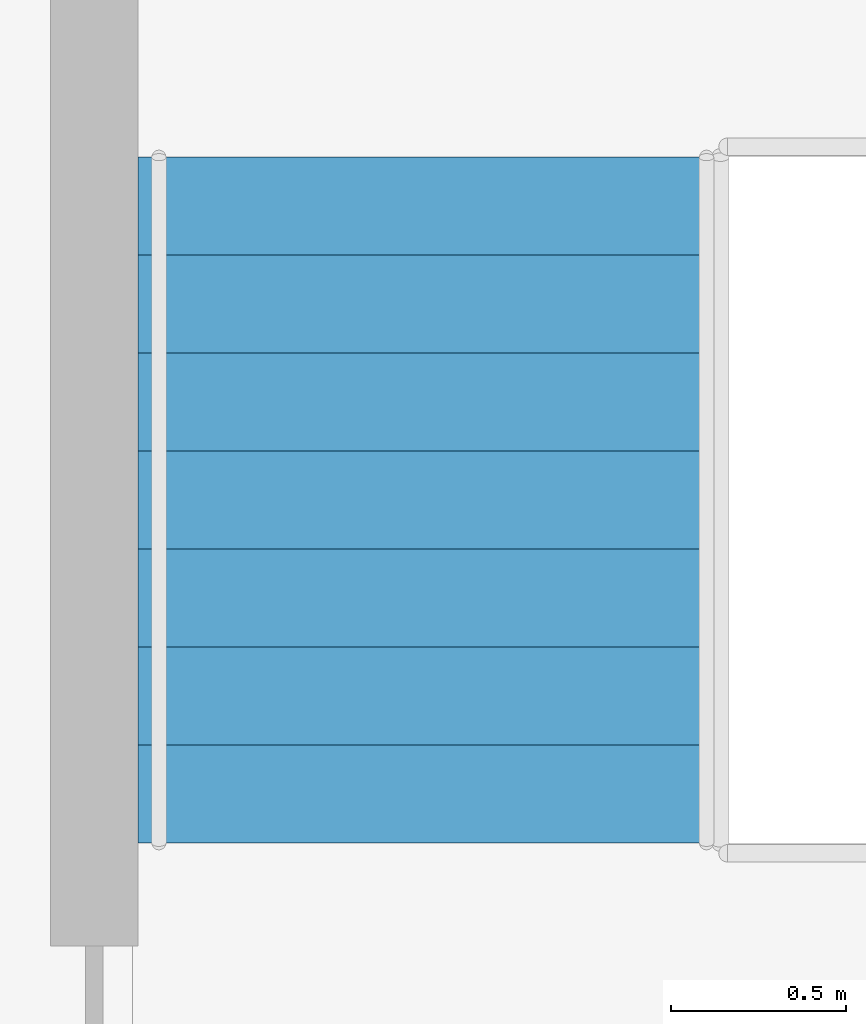
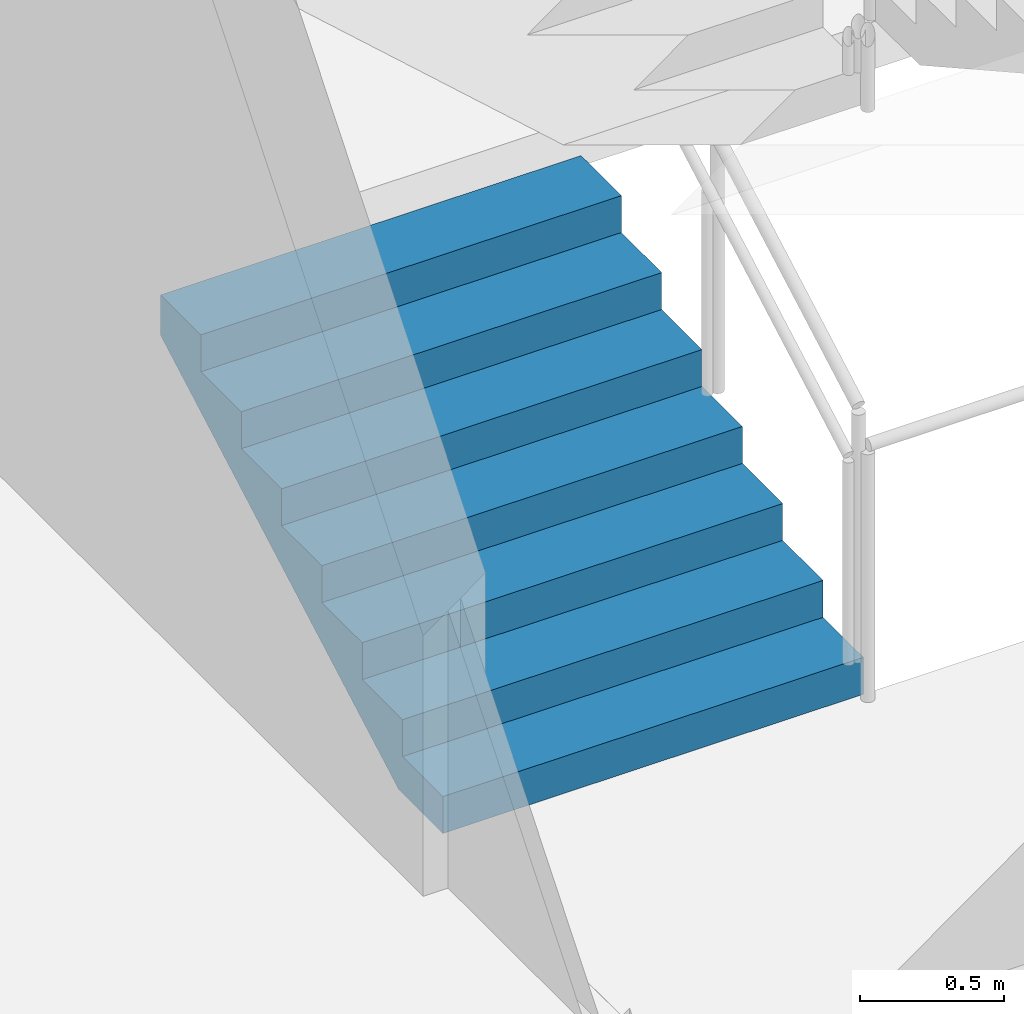
# One storey, part 28 of 37: 1 stair flight, 1 element without a shape of its own.
"""IFC4 building model written with IfcOpenShell, lengths in metres."""

from ifc_helpers import new_model, si_unit, direction, frame, origin, place, context, subcontext, project, spatial, triangles, material, type_object, element, aggregate, save


model = new_model("IFC4")

# Units and contexts
model_context = context("Model", 3, precision=1e-05, world=origin(), true_north=direction((0.0, 1.0)))
body_context = subcontext(model_context, "Body", "Model", "MODEL_VIEW")
ifc_project = project(units=[si_unit("LENGTHUNIT", "METRE"), si_unit("AREAUNIT", "SQUARE_METRE"), si_unit("VOLUMEUNIT", "CUBIC_METRE"), si_unit("PLANEANGLEUNIT", "RADIAN"), si_unit("MASSUNIT", "GRAM", prefix="KILO")], contexts=[model_context])

# Site, building, storey
site_placement = place(None, origin())
site = spatial("IfcSite", under=ifc_project, at=site_placement, CompositionType="ELEMENT")
building_placement = place(site_placement, origin())
building = spatial("IfcBuilding", under=site, at=building_placement, Name="Orbita Commons", CompositionType="ELEMENT")
storey_placement = place(building_placement, frame((0.0, 0.0, 6.0)))
storey = spatial("IfcBuildingStorey", under=building, at=storey_placement, Name="L01", CompositionType="ELEMENT", Elevation=6.0)

# Stair, stair flight
ifc_material_1 = material(Name="Precast concrete C40/50", Category="concrete")
stair_type = type_object("IfcStairType", Name="Podium exit stair 4 flights 8 risers 156", PredefinedType="HALF_TURN_STAIR", material=ifc_material_1)
stair_placement = place(storey_placement, origin())
stair = element("IfcStair", 1, at=stair_placement, inside=storey, type_object=stair_type, Name="Podium exit stair PS1 L01", PredefinedType="HALF_TURN_STAIR")
ifc_material_2 = material(Name="Precast concrete C40/50", Category="concrete")
stair_flight_type = type_object("IfcStairFlightType", Name="Podium stair flight 8 risers 156 x 1685", PredefinedType="STRAIGHT", material=ifc_material_2)
stair_flight_placement = place(storey_placement, frame((7.5673828125, 29.820068359375, 0.0), z_axis=(0.0, 0.0, 1.0), x_axis=(0.0, 1.0, 0.0)))
stair_flight = element("IfcStairFlight", 2, at=stair_flight_placement, type_object=stair_flight_type, Name="PS1 flight 1", NumberOfRisers=8, NumberOfTreads=7, PredefinedType="STRAIGHT", RiserHeight=0.15625, TreadLength=0.28, context=body_context, shape_type="Tessellation", body=[
    triangles([(0.0, 0.842529, 0.0), (0.0, 0.842529, 0.019531), (0.0, 0.702108, 0.019531), (0.0, 0.702108, 0.0), (0.0, 0.561686, 0.019531), (0.0, 0.561686, 0.0), (0.0, 0.421265, 0.019531), (0.0, 0.421265, 0.0), (0.0, 0.280843, 0.019531), (0.0, 0.280843, 0.0), (0.0, 0.140422, 0.019531), (0.0, 0.140422, 0.0), (0.0, 0.0, 0.019531), (0.0, 0.0, 0.0), (0.0, -0.140422, 0.019531), (0.0, -0.140422, 0.0), (0.0, -0.280843, 0.019531), (0.0, -0.280843, 0.0), (0.0, -0.421265, 0.019531), (0.0, -0.421265, 0.0), (0.0, -0.561686, 0.019531), (0.0, -0.561686, 0.0), (0.0, -0.702108, 0.019531), (0.0, -0.702108, 0.0), (0.0, -0.842529, 0.019531), (0.0, -0.842529, 0.0), (0.0, 0.842529, 0.039062), (0.0, 0.702108, 0.039062), (0.0, 0.561686, 0.039062), (0.0, 0.421265, 0.039062), (0.0, 0.280843, 0.039062), (0.0, 0.140422, 0.039062), (0.0, 0.0, 0.039062), (0.0, -0.140422, 0.039062), (0.0, -0.280843, 0.039062), (0.0, -0.421265, 0.039062), (0.0, -0.561686, 0.039062), (0.0, -0.702108, 0.039062), (0.0, -0.842529, 0.039062), (0.0, 0.842529, 0.058594), (0.0, 0.702108, 0.058594), (0.0, 0.561686, 0.058594), (0.0, 0.421265, 0.058594), (0.0, 0.280843, 0.058594), (0.0, 0.140422, 0.058594), (0.0, 0.0, 0.058594), (0.0, -0.140422, 0.058594), (0.0, -0.280843, 0.058594), (0.0, -0.421265, 0.058594), (0.0, -0.561686, 0.058594), (0.0, -0.702108, 0.058594), (0.0, -0.842529, 0.058594), (0.0, 0.842529, 0.078125), (0.0, 0.702108, 0.078125), (0.0, 0.561686, 0.078125), (0.0, 0.421265, 0.078125), (0.0, 0.280843, 0.078125), (0.0, 0.140422, 0.078125), (0.0, 0.0, 0.078125), (0.0, -0.140422, 0.078125), (0.0, -0.280843, 0.078125), (0.0, -0.421265, 0.078125), (0.0, -0.561686, 0.078125), (0.0, -0.702108, 0.078125), (0.0, -0.842529, 0.078125), (0.0, 0.842529, 0.097656), (0.0, 0.702108, 0.097656), (0.0, 0.561686, 0.097656), (0.0, 0.421265, 0.097656), (0.0, 0.280843, 0.097656), (0.0, 0.140422, 0.097656), (0.0, 0.0, 0.097656), (0.0, -0.140422, 0.097656), (0.0, -0.280843, 0.097656), (0.0, -0.421265, 0.097656), (0.0, -0.561686, 0.097656), (0.0, -0.702108, 0.097656), (0.0, -0.842529, 0.097656), (0.0, 0.842529, 0.117188), (0.0, 0.702108, 0.117188), (0.0, 0.561686, 0.117188), (0.0, 0.421265, 0.117188), (0.0, 0.280843, 0.117188), (0.0, 0.140422, 0.117188), (0.0, 0.0, 0.117188), (0.0, -0.140422, 0.117188), (0.0, -0.280843, 0.117188), (0.0, -0.421265, 0.117188), (0.0, -0.561686, 0.117188), (0.0, -0.702108, 0.117188), (0.0, -0.842529, 0.117188), (0.0, 0.842529, 0.136719), (0.0, 0.702108, 0.136719), (0.0, 0.561686, 0.136719), (0.0, 0.421265, 0.136719), (0.0, 0.280843, 0.136719), (0.0, 0.140422, 0.136719), (0.0, 0.0, 0.136719), (0.0, -0.140422, 0.136719), (0.0, -0.280843, 0.136719), (0.0, -0.421265, 0.136719), (0.0, -0.561686, 0.136719), (0.0, -0.702108, 0.136719), (0.0, -0.842529, 0.136719), (0.0, 0.842529, 0.15625), (0.0, 0.702108, 0.15625), (0.0, 0.561686, 0.15625), (0.0, 0.421265, 0.15625), (0.0, 0.280843, 0.15625), (0.0, 0.140422, 0.15625), (0.0, 0.0, 0.15625), (0.0, -0.140422, 0.15625), (0.0, -0.280843, 0.15625), (0.0, -0.421265, 0.15625), (0.0, -0.561686, 0.15625), (0.0, -0.702108, 0.15625), (0.0, -0.842529, 0.15625), (0.28, 0.842529, 0.15625), (0.28, 0.702108, 0.15625), (0.28, 0.561686, 0.15625), (0.28, 0.421265, 0.15625), (0.28, 0.280843, 0.15625), (0.28, 0.140422, 0.15625), (0.28, 0.0, 0.15625), (0.28, -0.140422, 0.15625), (0.28, -0.280843, 0.15625), (0.28, -0.421265, 0.15625), (0.28, -0.561686, 0.15625), (0.28, -0.702108, 0.15625), (0.28, -0.842529, 0.15625), (0.28, 0.842529, 0.3125), (0.28, 0.702108, 0.3125), (0.28, 0.561686, 0.3125), (0.28, 0.421265, 0.3125), (0.28, 0.280843, 0.3125), (0.28, 0.140422, 0.3125), (0.28, 0.0, 0.3125), (0.28, -0.140422, 0.3125), (0.28, -0.280843, 0.3125), (0.28, -0.421265, 0.3125), (0.28, -0.561686, 0.3125), (0.28, -0.702108, 0.3125), (0.28, -0.842529, 0.3125), (0.56, 0.842529, 0.3125), (0.56, 0.702108, 0.3125), (0.56, 0.561686, 0.3125), (0.56, 0.421265, 0.3125), (0.56, 0.280843, 0.3125), (0.56, 0.140422, 0.3125), (0.56, 0.0, 0.3125), (0.56, -0.140422, 0.3125), (0.56, -0.280843, 0.3125), (0.56, -0.421265, 0.3125), (0.56, -0.561686, 0.3125), (0.56, -0.702108, 0.3125), (0.56, -0.842529, 0.3125), (0.56, 0.842529, 0.46875), (0.56, 0.702108, 0.46875), (0.56, 0.561686, 0.46875), (0.56, 0.421265, 0.46875), (0.56, 0.280843, 0.46875), (0.56, 0.140422, 0.46875), (0.56, 0.0, 0.46875), (0.56, -0.140422, 0.46875), (0.56, -0.280843, 0.46875), (0.56, -0.421265, 0.46875), (0.56, -0.561686, 0.46875), (0.56, -0.702108, 0.46875), (0.56, -0.842529, 0.46875), (0.84, 0.842529, 0.46875), (0.84, 0.702108, 0.46875), (0.84, 0.561686, 0.46875), (0.84, 0.421265, 0.46875), (0.84, 0.280843, 0.46875), (0.84, 0.140422, 0.46875), (0.84, 0.0, 0.46875), (0.84, -0.140422, 0.46875), (0.84, -0.280843, 0.46875), (0.84, -0.421265, 0.46875), (0.84, -0.561686, 0.46875), (0.84, -0.702108, 0.46875), (0.84, -0.842529, 0.46875), (0.84, 0.842529, 0.625), (0.84, 0.702108, 0.625), (0.84, 0.561686, 0.625), (0.84, 0.421265, 0.625), (0.84, 0.280843, 0.625), (0.84, 0.140422, 0.625), (0.84, 0.0, 0.625), (0.84, -0.140422, 0.625), (0.84, -0.280843, 0.625), (0.84, -0.421265, 0.625), (0.84, -0.561686, 0.625), (0.84, -0.702108, 0.625), (0.84, -0.842529, 0.625), (1.12, 0.842529, 0.625), (1.12, 0.702108, 0.625), (1.12, 0.561686, 0.625), (1.12, 0.421265, 0.625), (1.12, 0.280843, 0.625), (1.12, 0.140422, 0.625), (1.12, 0.0, 0.625), (1.12, -0.140422, 0.625), (1.12, -0.280843, 0.625), (1.12, -0.421265, 0.625), (1.12, -0.561686, 0.625), (1.12, -0.702108, 0.625), (1.12, -0.842529, 0.625), (1.12, 0.842529, 0.78125), (1.12, 0.702108, 0.78125), (1.12, 0.561686, 0.78125), (1.12, 0.421265, 0.78125), (1.12, 0.280843, 0.78125), (1.12, 0.140422, 0.78125), (1.12, 0.0, 0.78125), (1.12, -0.140422, 0.78125), (1.12, -0.280843, 0.78125), (1.12, -0.421265, 0.78125), (1.12, -0.561686, 0.78125), (1.12, -0.702108, 0.78125), (1.12, -0.842529, 0.78125), (1.4, 0.842529, 0.78125), (1.4, 0.702108, 0.78125), (1.4, 0.561686, 0.78125), (1.4, 0.421265, 0.78125), (1.4, 0.280843, 0.78125), (1.4, 0.140422, 0.78125), (1.4, 0.0, 0.78125), (1.4, -0.140422, 0.78125), (1.4, -0.280843, 0.78125), (1.4, -0.421265, 0.78125), (1.4, -0.561686, 0.78125), (1.4, -0.702108, 0.78125), (1.4, -0.842529, 0.78125), (1.4, 0.842529, 0.9375), (1.4, 0.702108, 0.9375), (1.4, 0.561686, 0.9375), (1.4, 0.421265, 0.9375), (1.4, 0.280843, 0.9375), (1.4, 0.140422, 0.9375), (1.4, 0.0, 0.9375), (1.4, -0.140422, 0.9375), (1.4, -0.280843, 0.9375), (1.4, -0.421265, 0.9375), (1.4, -0.561686, 0.9375), (1.4, -0.702108, 0.9375), (1.4, -0.842529, 0.9375), (1.68, 0.842529, 0.9375), (1.68, 0.702108, 0.9375), (1.68, 0.561686, 0.9375), (1.68, 0.421265, 0.9375), (1.68, 0.280843, 0.9375), (1.68, 0.140422, 0.9375), (1.68, 0.0, 0.9375), (1.68, -0.140422, 0.9375), (1.68, -0.280843, 0.9375), (1.68, -0.421265, 0.9375), (1.68, -0.561686, 0.9375), (1.68, -0.702108, 0.9375), (1.68, -0.842529, 0.9375), (1.68, 0.842529, 1.09375), (1.68, 0.702108, 1.09375), (1.68, 0.561686, 1.09375), (1.68, 0.421265, 1.09375), (1.68, 0.280843, 1.09375), (1.68, 0.140422, 1.09375), (1.68, 0.0, 1.09375), (1.68, -0.140422, 1.09375), (1.68, -0.280843, 1.09375), (1.68, -0.421265, 1.09375), (1.68, -0.561686, 1.09375), (1.68, -0.702108, 1.09375), (1.68, -0.842529, 1.09375), (1.96, 0.842529, 1.09375), (1.96, 0.702108, 1.09375), (1.96, 0.561686, 1.09375), (1.96, 0.421265, 1.09375), (1.96, 0.280843, 1.09375), (1.96, 0.140422, 1.09375), (1.96, 0.0, 1.09375), (1.96, -0.140422, 1.09375), (1.96, -0.280843, 1.09375), (1.96, -0.421265, 1.09375), (1.96, -0.561686, 1.09375), (1.96, -0.702108, 1.09375), (1.96, -0.842529, 1.09375), (1.96, 0.842529, 1.072292), (1.96, 0.702108, 1.072292), (1.96, 0.561686, 1.072292), (1.96, 0.421265, 1.072292), (1.96, 0.280843, 1.072292), (1.96, 0.140422, 1.072292), (1.96, 0.0, 1.072292), (1.96, -0.140422, 1.072292), (1.96, -0.280843, 1.072292), (1.96, -0.421265, 1.072292), (1.96, -0.561686, 1.072292), (1.96, -0.702108, 1.072292), (1.96, -0.842529, 1.072292), (1.96, 0.842529, 1.050834), (1.96, 0.702108, 1.050834), (1.96, 0.561686, 1.050834), (1.96, 0.421265, 1.050834), (1.96, 0.280843, 1.050834), (1.96, 0.140422, 1.050834), (1.96, 0.0, 1.050834), (1.96, -0.140422, 1.050834), (1.96, -0.280843, 1.050834), (1.96, -0.421265, 1.050834), (1.96, -0.561686, 1.050834), (1.96, -0.702108, 1.050834), (1.96, -0.842529, 1.050834), (1.96, 0.842529, 1.029376), (1.96, 0.702108, 1.029376), (1.96, 0.561686, 1.029376), (1.96, 0.421265, 1.029376), (1.96, 0.280843, 1.029376), (1.96, 0.140422, 1.029376), (1.96, 0.0, 1.029376), (1.96, -0.140422, 1.029376), (1.96, -0.280843, 1.029376), (1.96, -0.421265, 1.029376), (1.96, -0.561686, 1.029376), (1.96, -0.702108, 1.029376), (1.96, -0.842529, 1.029376), (1.96, 0.842529, 1.007919), (1.96, 0.702108, 1.007919), (1.96, 0.561686, 1.007919), (1.96, 0.421265, 1.007919), (1.96, 0.280843, 1.007919), (1.96, 0.140422, 1.007919), (1.96, 0.0, 1.007919), (1.96, -0.140422, 1.007919), (1.96, -0.280843, 1.007919), (1.96, -0.421265, 1.007919), (1.96, -0.561686, 1.007919), (1.96, -0.702108, 1.007919), (1.96, -0.842529, 1.007919), (1.96, 0.842529, 0.986461), (1.96, 0.702108, 0.986461), (1.96, 0.561686, 0.986461), (1.96, 0.421265, 0.986461), (1.96, 0.280843, 0.986461), (1.96, 0.140422, 0.986461), (1.96, 0.0, 0.986461), (1.96, -0.140422, 0.986461), (1.96, -0.280843, 0.986461), (1.96, -0.421265, 0.986461), (1.96, -0.561686, 0.986461), (1.96, -0.702108, 0.986461), (1.96, -0.842529, 0.986461), (1.96, 0.842529, 0.965003), (1.96, 0.702108, 0.965003), (1.96, 0.561686, 0.965003), (1.96, 0.421265, 0.965003), (1.96, 0.280843, 0.965003), (1.96, 0.140422, 0.965003), (1.96, 0.0, 0.965003), (1.96, -0.140422, 0.965003), (1.96, -0.280843, 0.965003), (1.96, -0.421265, 0.965003), (1.96, -0.561686, 0.965003), (1.96, -0.702108, 0.965003), (1.96, -0.842529, 0.965003), (1.96, 0.842529, 0.943545), (1.96, 0.702108, 0.943545), (1.96, 0.561686, 0.943545), (1.96, 0.421265, 0.943545), (1.96, 0.280843, 0.943545), (1.96, 0.140422, 0.943545), (1.96, 0.0, 0.943545), (1.96, -0.140422, 0.943545), (1.96, -0.280843, 0.943545), (1.96, -0.421265, 0.943545), (1.96, -0.561686, 0.943545), (1.96, -0.702108, 0.943545), (1.96, -0.842529, 0.943545), (1.96, 0.842529, 0.922087), (1.96, 0.702108, 0.922087), (1.96, 0.561686, 0.922087), (1.96, 0.421265, 0.922087), (1.96, 0.280843, 0.922087), (1.96, 0.140422, 0.922087), (1.96, 0.0, 0.922087), (1.96, -0.140422, 0.922087), (1.96, -0.280843, 0.922087), (1.96, -0.421265, 0.922087), (1.96, -0.561686, 0.922087), (1.96, -0.702108, 0.922087), (1.96, -0.842529, 0.922087), (0.30762, 0.842529, 0.0), (0.30762, 0.702108, 0.0), (0.30762, 0.561686, 0.0), (0.30762, 0.421265, 0.0), (0.30762, 0.280843, 0.0), (0.30762, 0.140422, 0.0), (0.30762, 0.0, 0.0), (0.30762, -0.140422, 0.0), (0.30762, -0.280843, 0.0), (0.30762, -0.421265, 0.0), (0.30762, -0.561686, 0.0), (0.30762, -0.702108, 0.0), (0.30762, -0.842529, 0.0)], [[3, 2, 1], [4, 3, 1], [5, 3, 4], [6, 5, 4], [7, 5, 6], [8, 7, 6], [9, 7, 8], [10, 9, 8], [11, 9, 10], [12, 11, 10], [13, 11, 12], [14, 13, 12], [15, 13, 14], [16, 15, 14], [17, 15, 16], [18, 17, 16], [19, 17, 18], [20, 19, 18], [21, 19, 20], [22, 21, 20], [23, 21, 22], [24, 23, 22], [25, 23, 24], [26, 25, 24], [28, 27, 2], [3, 28, 2], [29, 28, 3], [5, 29, 3], [30, 29, 5], [7, 30, 5], [31, 30, 7], [9, 31, 7], [32, 31, 9], [11, 32, 9], [33, 32, 11], [13, 33, 11], [34, 33, 13], [15, 34, 13], [35, 34, 15], [17, 35, 15], [36, 35, 17], [19, 36, 17], [37, 36, 19], [21, 37, 19], [38, 37, 21], [23, 38, 21], [39, 38, 23], [25, 39, 23], [41, 40, 27], [28, 41, 27], [42, 41, 28], [29, 42, 28], [43, 42, 29], [30, 43, 29], [44, 43, 30], [31, 44, 30], [45, 44, 31], [32, 45, 31], [46, 45, 32], [33, 46, 32], [47, 46, 33], [34, 47, 33], [48, 47, 34], [35, 48, 34], [49, 48, 35], [36, 49, 35], [50, 49, 36], [37, 50, 36], [51, 50, 37], [38, 51, 37], [52, 51, 38], [39, 52, 38], [54, 53, 40], [41, 54, 40], [55, 54, 41], [42, 55, 41], [56, 55, 42], [43, 56, 42], [57, 56, 43], [44, 57, 43], [58, 57, 44], [45, 58, 44], [59, 58, 45], [46, 59, 45], [60, 59, 46], [47, 60, 46], [61, 60, 47], [48, 61, 47], [62, 61, 48], [49, 62, 48], [63, 62, 49], [50, 63, 49], [64, 63, 50], [51, 64, 50], [65, 64, 51], [52, 65, 51], [67, 66, 53], [54, 67, 53], [68, 67, 54], [55, 68, 54], [69, 68, 55], [56, 69, 55], [70, 69, 56], [57, 70, 56], [71, 70, 57], [58, 71, 57], [72, 71, 58], [59, 72, 58], [73, 72, 59], [60, 73, 59], [74, 73, 60], [61, 74, 60], [75, 74, 61], [62, 75, 61], [76, 75, 62], [63, 76, 62], [77, 76, 63], [64, 77, 63], [78, 77, 64], [65, 78, 64], [80, 79, 66], [67, 80, 66], [81, 80, 67], [68, 81, 67], [82, 81, 68], [69, 82, 68], [83, 82, 69], [70, 83, 69], [84, 83, 70], [71, 84, 70], [85, 84, 71], [72, 85, 71], [86, 85, 72], [73, 86, 72], [87, 86, 73], [74, 87, 73], [88, 87, 74], [75, 88, 74], [89, 88, 75], [76, 89, 75], [90, 89, 76], [77, 90, 76], [91, 90, 77], [78, 91, 77], [93, 92, 79], [80, 93, 79], [94, 93, 80], [81, 94, 80], [95, 94, 81], [82, 95, 81], [96, 95, 82], [83, 96, 82], [97, 96, 83], [84, 97, 83], [98, 97, 84], [85, 98, 84], [99, 98, 85], [86, 99, 85], [100, 99, 86], [87, 100, 86], [101, 100, 87], [88, 101, 87], [102, 101, 88], [89, 102, 88], [103, 102, 89], [90, 103, 89], [104, 103, 90], [91, 104, 90], [106, 105, 92], [93, 106, 92], [107, 106, 93], [94, 107, 93], [108, 107, 94], [95, 108, 94], [109, 108, 95], [96, 109, 95], [110, 109, 96], [97, 110, 96], [111, 110, 97], [98, 111, 97], [112, 111, 98], [99, 112, 98], [113, 112, 99], [100, 113, 99], [114, 113, 100], [101, 114, 100], [115, 114, 101], [102, 115, 101], [116, 115, 102], [103, 116, 102], [117, 116, 103], [104, 117, 103], [119, 118, 105], [106, 119, 105], [120, 119, 106], [107, 120, 106], [121, 120, 107], [108, 121, 107], [122, 121, 108], [109, 122, 108], [123, 122, 109], [110, 123, 109], [124, 123, 110], [111, 124, 110], [125, 124, 111], [112, 125, 111], [126, 125, 112], [113, 126, 112], [127, 126, 113], [114, 127, 113], [128, 127, 114], [115, 128, 114], [129, 128, 115], [116, 129, 115], [130, 129, 116], [117, 130, 116], [132, 131, 118], [119, 132, 118], [133, 132, 119], [120, 133, 119], [134, 133, 120], [121, 134, 120], [135, 134, 121], [122, 135, 121], [136, 135, 122], [123, 136, 122], [137, 136, 123], [124, 137, 123], [138, 137, 124], [125, 138, 124], [139, 138, 125], [126, 139, 125], [140, 139, 126], [127, 140, 126], [141, 140, 127], [128, 141, 127], [142, 141, 128], [129, 142, 128], [143, 142, 129], [130, 143, 129], [145, 144, 131], [132, 145, 131], [146, 145, 132], [133, 146, 132], [147, 146, 133], [134, 147, 133], [148, 147, 134], [135, 148, 134], [149, 148, 135], [136, 149, 135], [150, 149, 136], [137, 150, 136], [151, 150, 137], [138, 151, 137], [152, 151, 138], [139, 152, 138], [153, 152, 139], [140, 153, 139], [154, 153, 140], [141, 154, 140], [155, 154, 141], [142, 155, 141], [156, 155, 142], [143, 156, 142], [158, 157, 144], [145, 158, 144], [159, 158, 145], [146, 159, 145], [160, 159, 146], [147, 160, 146], [161, 160, 147], [148, 161, 147], [162, 161, 148], [149, 162, 148], [163, 162, 149], [150, 163, 149], [164, 163, 150], [151, 164, 150], [165, 164, 151], [152, 165, 151], [166, 165, 152], [153, 166, 152], [167, 166, 153], [154, 167, 153], [168, 167, 154], [155, 168, 154], [169, 168, 155], [156, 169, 155], [171, 170, 157], [158, 171, 157], [172, 171, 158], [159, 172, 158], [173, 172, 159], [160, 173, 159], [174, 173, 160], [161, 174, 160], [175, 174, 161], [162, 175, 161], [176, 175, 162], [163, 176, 162], [177, 176, 163], [164, 177, 163], [178, 177, 164], [165, 178, 164], [179, 178, 165], [166, 179, 165], [180, 179, 166], [167, 180, 166], [181, 180, 167], [168, 181, 167], [182, 181, 168], [169, 182, 168], [184, 183, 170], [171, 184, 170], [185, 184, 171], [172, 185, 171], [186, 185, 172], [173, 186, 172], [187, 186, 173], [174, 187, 173], [188, 187, 174], [175, 188, 174], [189, 188, 175], [176, 189, 175], [190, 189, 176], [177, 190, 176], [191, 190, 177], [178, 191, 177], [192, 191, 178], [179, 192, 178], [193, 192, 179], [180, 193, 179], [194, 193, 180], [181, 194, 180], [195, 194, 181], [182, 195, 181], [197, 196, 183], [184, 197, 183], [198, 197, 184], [185, 198, 184], [199, 198, 185], [186, 199, 185], [200, 199, 186], [187, 200, 186], [201, 200, 187], [188, 201, 187], [202, 201, 188], [189, 202, 188], [203, 202, 189], [190, 203, 189], [204, 203, 190], [191, 204, 190], [205, 204, 191], [192, 205, 191], [206, 205, 192], [193, 206, 192], [207, 206, 193], [194, 207, 193], [208, 207, 194], [195, 208, 194], [210, 209, 196], [197, 210, 196], [211, 210, 197], [198, 211, 197], [212, 211, 198], [199, 212, 198], [213, 212, 199], [200, 213, 199], [214, 213, 200], [201, 214, 200], [215, 214, 201], [202, 215, 201], [216, 215, 202], [203, 216, 202], [217, 216, 203], [204, 217, 203], [218, 217, 204], [205, 218, 204], [219, 218, 205], [206, 219, 205], [220, 219, 206], [207, 220, 206], [221, 220, 207], [208, 221, 207], [223, 222, 209], [210, 223, 209], [224, 223, 210], [211, 224, 210], [225, 224, 211], [212, 225, 211], [226, 225, 212], [213, 226, 212], [227, 226, 213], [214, 227, 213], [228, 227, 214], [215, 228, 214], [229, 228, 215], [216, 229, 215], [230, 229, 216], [217, 230, 216], [231, 230, 217], [218, 231, 217], [232, 231, 218], [219, 232, 218], [233, 232, 219], [220, 233, 219], [234, 233, 220], [221, 234, 220], [236, 235, 222], [223, 236, 222], [237, 236, 223], [224, 237, 223], [238, 237, 224], [225, 238, 224], [239, 238, 225], [226, 239, 225], [240, 239, 226], [227, 240, 226], [241, 240, 227], [228, 241, 227], [242, 241, 228], [229, 242, 228], [243, 242, 229], [230, 243, 229], [244, 243, 230], [231, 244, 230], [245, 244, 231], [232, 245, 231], [246, 245, 232], [233, 246, 232], [247, 246, 233], [234, 247, 233], [249, 248, 235], [236, 249, 235], [250, 249, 236], [237, 250, 236], [251, 250, 237], [238, 251, 237], [252, 251, 238], [239, 252, 238], [253, 252, 239], [240, 253, 239], [254, 253, 240], [241, 254, 240], [255, 254, 241], [242, 255, 241], [256, 255, 242], [243, 256, 242], [257, 256, 243], [244, 257, 243], [258, 257, 244], [245, 258, 244], [259, 258, 245], [246, 259, 245], [260, 259, 246], [247, 260, 246], [262, 261, 248], [249, 262, 248], [263, 262, 249], [250, 263, 249], [264, 263, 250], [251, 264, 250], [265, 264, 251], [252, 265, 251], [266, 265, 252], [253, 266, 252], [267, 266, 253], [254, 267, 253], [268, 267, 254], [255, 268, 254], [269, 268, 255], [256, 269, 255], [270, 269, 256], [257, 270, 256], [271, 270, 257], [258, 271, 257], [272, 271, 258], [259, 272, 258], [273, 272, 259], [260, 273, 259], [275, 274, 261], [262, 275, 261], [276, 275, 262], [263, 276, 262], [277, 276, 263], [264, 277, 263], [278, 277, 264], [265, 278, 264], [279, 278, 265], [266, 279, 265], [280, 279, 266], [267, 280, 266], [281, 280, 267], [268, 281, 267], [282, 281, 268], [269, 282, 268], [283, 282, 269], [270, 283, 269], [284, 283, 270], [271, 284, 270], [285, 284, 271], [272, 285, 271], [286, 285, 272], [273, 286, 272], [288, 287, 274], [275, 288, 274], [289, 288, 275], [276, 289, 275], [290, 289, 276], [277, 290, 276], [291, 290, 277], [278, 291, 277], [292, 291, 278], [279, 292, 278], [293, 292, 279], [280, 293, 279], [294, 293, 280], [281, 294, 280], [295, 294, 281], [282, 295, 281], [296, 295, 282], [283, 296, 282], [297, 296, 283], [284, 297, 283], [298, 297, 284], [285, 298, 284], [299, 298, 285], [286, 299, 285], [301, 300, 287], [288, 301, 287], [302, 301, 288], [289, 302, 288], [303, 302, 289], [290, 303, 289], [304, 303, 290], [291, 304, 290], [305, 304, 291], [292, 305, 291], [306, 305, 292], [293, 306, 292], [307, 306, 293], [294, 307, 293], [308, 307, 294], [295, 308, 294], [309, 308, 295], [296, 309, 295], [310, 309, 296], [297, 310, 296], [311, 310, 297], [298, 311, 297], [312, 311, 298], [299, 312, 298], [314, 313, 300], [301, 314, 300], [315, 314, 301], [302, 315, 301], [316, 315, 302], [303, 316, 302], [317, 316, 303], [304, 317, 303], [318, 317, 304], [305, 318, 304], [319, 318, 305], [306, 319, 305], [320, 319, 306], [307, 320, 306], [321, 320, 307], [308, 321, 307], [322, 321, 308], [309, 322, 308], [323, 322, 309], [310, 323, 309], [324, 323, 310], [311, 324, 310], [325, 324, 311], [312, 325, 311], [327, 326, 313], [314, 327, 313], [328, 327, 314], [315, 328, 314], [329, 328, 315], [316, 329, 315], [330, 329, 316], [317, 330, 316], [331, 330, 317], [318, 331, 317], [332, 331, 318], [319, 332, 318], [333, 332, 319], [320, 333, 319], [334, 333, 320], [321, 334, 320], [335, 334, 321], [322, 335, 321], [336, 335, 322], [323, 336, 322], [337, 336, 323], [324, 337, 323], [338, 337, 324], [325, 338, 324], [340, 339, 326], [327, 340, 326], [341, 340, 327], [328, 341, 327], [342, 341, 328], [329, 342, 328], [343, 342, 329], [330, 343, 329], [344, 343, 330], [331, 344, 330], [345, 344, 331], [332, 345, 331], [346, 345, 332], [333, 346, 332], [347, 346, 333], [334, 347, 333], [348, 347, 334], [335, 348, 334], [349, 348, 335], [336, 349, 335], [350, 349, 336], [337, 350, 336], [351, 350, 337], [338, 351, 337], [353, 352, 339], [340, 353, 339], [354, 353, 340], [341, 354, 340], [355, 354, 341], [342, 355, 341], [356, 355, 342], [343, 356, 342], [357, 356, 343], [344, 357, 343], [358, 357, 344], [345, 358, 344], [359, 358, 345], [346, 359, 345], [360, 359, 346], [347, 360, 346], [361, 360, 347], [348, 361, 347], [362, 361, 348], [349, 362, 348], [363, 362, 349], [350, 363, 349], [364, 363, 350], [351, 364, 350], [366, 365, 352], [353, 366, 352], [367, 366, 353], [354, 367, 353], [368, 367, 354], [355, 368, 354], [369, 368, 355], [356, 369, 355], [370, 369, 356], [357, 370, 356], [371, 370, 357], [358, 371, 357], [372, 371, 358], [359, 372, 358], [373, 372, 359], [360, 373, 359], [374, 373, 360], [361, 374, 360], [375, 374, 361], [362, 375, 361], [376, 375, 362], [363, 376, 362], [377, 376, 363], [364, 377, 363], [379, 378, 365], [366, 379, 365], [380, 379, 366], [367, 380, 366], [381, 380, 367], [368, 381, 367], [382, 381, 368], [369, 382, 368], [383, 382, 369], [370, 383, 369], [384, 383, 370], [371, 384, 370], [385, 384, 371], [372, 385, 371], [386, 385, 372], [373, 386, 372], [387, 386, 373], [374, 387, 373], [388, 387, 374], [375, 388, 374], [389, 388, 375], [376, 389, 375], [390, 389, 376], [377, 390, 376], [392, 391, 378], [379, 392, 378], [393, 392, 379], [380, 393, 379], [394, 393, 380], [381, 394, 380], [395, 394, 381], [382, 395, 381], [396, 395, 382], [383, 396, 382], [397, 396, 383], [384, 397, 383], [398, 397, 384], [385, 398, 384], [399, 398, 385], [386, 399, 385], [400, 399, 386], [387, 400, 386], [401, 400, 387], [388, 401, 387], [402, 401, 388], [389, 402, 388], [403, 402, 389], [390, 403, 389], [4, 1, 391], [392, 4, 391], [6, 4, 392], [393, 6, 392], [8, 6, 393], [394, 8, 393], [10, 8, 394], [395, 10, 394], [12, 10, 395], [396, 12, 395], [14, 12, 396], [397, 14, 396], [16, 14, 397], [398, 16, 397], [18, 16, 398], [399, 18, 398], [20, 18, 399], [400, 20, 399], [22, 20, 400], [401, 22, 400], [24, 22, 401], [402, 24, 401], [26, 24, 402], [403, 26, 402], [378, 391, 1], [26, 403, 390], [365, 378, 1], [26, 390, 377], [352, 365, 1], [26, 377, 364], [339, 352, 1], [26, 364, 351], [326, 339, 1], [26, 351, 338], [313, 326, 1], [26, 338, 325], [300, 313, 1], [26, 325, 312], [287, 300, 1], [26, 312, 299], [261, 274, 287], [299, 286, 273], [248, 261, 287], [299, 273, 260], [222, 235, 248], [260, 247, 234], [222, 248, 287], [299, 260, 234], [196, 209, 222], [234, 221, 208], [196, 222, 287], [299, 234, 208], [170, 183, 196], [208, 195, 182], [170, 196, 287], [299, 208, 182], [144, 157, 170], [182, 169, 156], [144, 170, 287], [299, 182, 156], [118, 131, 144], [156, 143, 130], [118, 144, 287], [299, 156, 130], [118, 287, 1], [26, 299, 130], [92, 105, 118], [130, 117, 104], [79, 92, 118], [130, 104, 91], [66, 79, 118], [130, 91, 78], [53, 66, 118], [130, 78, 65], [40, 53, 118], [130, 65, 52], [27, 40, 118], [130, 52, 39], [2, 27, 118], [130, 39, 25], [1, 2, 118], [130, 25, 26]], closed=True),
])
aggregate(stair, [stair_flight])

save(model, "model.ifc")
